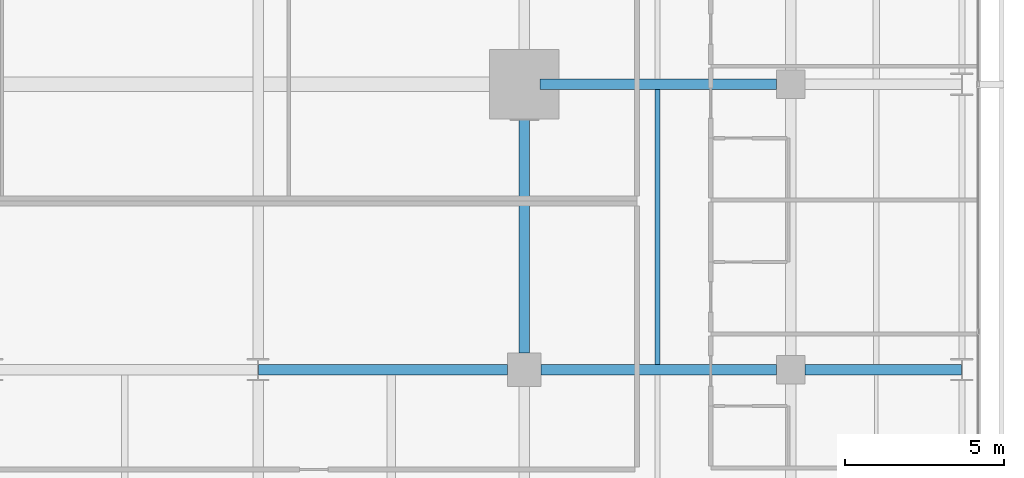
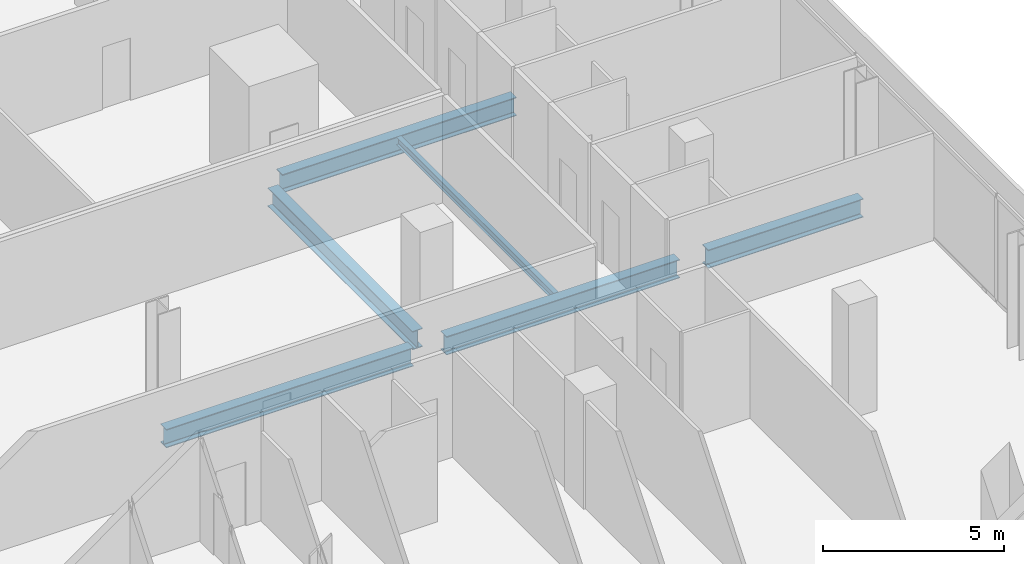
# One storey, part 18 of 40: 6 beams.
"""IFC4 building model written with IfcOpenShell, lengths in metres."""

from ifc_helpers import new_model, si_unit, direction, frame, origin, origin_2d, place, context, subcontext, project, spatial, i_section, extrude, material, material_profile, profile_set, type_object, element, save


model = new_model("IFC4")

# Units and contexts
model_context = context("Model", 3, precision=1e-05, world=origin(), true_north=direction((0.0, 1.0)))
body_context = subcontext(model_context, "Body", "Model", "MODEL_VIEW")
ifc_project = project(units=[si_unit("LENGTHUNIT", "METRE"), si_unit("AREAUNIT", "SQUARE_METRE"), si_unit("VOLUMEUNIT", "CUBIC_METRE"), si_unit("PLANEANGLEUNIT", "RADIAN"), si_unit("MASSUNIT", "GRAM", prefix="KILO")], contexts=[model_context])

# Site, building, storey
site_placement = place(None, origin())
site = spatial("IfcSite", under=ifc_project, at=site_placement, CompositionType="ELEMENT")
building_placement = place(site_placement, origin())
building = spatial("IfcBuilding", under=site, at=building_placement, Name="Maruvema Waterfront Hotel and Observation Tower", CompositionType="ELEMENT")
storey_placement = place(building_placement, frame((0.0, 0.0, 38.5)))
storey = spatial("IfcBuildingStorey", under=building, at=storey_placement, Name="L08", CompositionType="ELEMENT", Elevation=38.5)

# Beams
ifc_material_1 = material(Name="Steel ASTM A572 Grade 50", Category="steel")
ifc_material_profile_1 = material_profile(ifc_material_1, i_section(OverallWidth=0.326904296875, OverallDepth=0.6220703125, WebThickness=0.015380859375, FlangeThickness=0.0244140625, FilletRadius=0.01806640625, at=origin_2d()), Name="W610x195.0")
ifc_profile_set_1 = profile_set([ifc_material_profile_1], Name="Steel ASTM A572 Grade 50")
beam_type_1 = type_object("IfcBeamType", Name="Primary Floor Girder W610x195.0", PredefinedType="BEAM", material=ifc_profile_set_1)
beam_1_placement = place(storey_placement, frame((42.013916015625, 18.0, -0.551025390625), z_axis=(1.0, 0.0, 0.0), x_axis=(0.0, 1.0, 0.0)))
element("IfcBeam", 1, at=beam_1_placement, inside=storey, type_object=beam_type_1, Name="L08 Floor Girder EW-17", PredefinedType="BEAM", context=body_context, shape_type="SweptSolid", body=[
    extrude(i_section(OverallWidth=0.326904296875, OverallDepth=0.6220703125, WebThickness=0.015380859375, FlangeThickness=0.0244140625, FilletRadius=0.01806640625, at=origin_2d()), origin(), (0.0, 0.0, 1.0), 7.861083984375),
])
beam_2_placement = place(storey_placement, frame((50.925048828125, 18.0, -0.551025390625), z_axis=(1.0, 0.0, 0.0), x_axis=(0.0, 1.0, 0.0)))
element("IfcBeam", 2, at=beam_2_placement, inside=storey, type_object=beam_type_1, Name="L08 Floor Girder EW-18", PredefinedType="BEAM", context=body_context, shape_type="SweptSolid", body=[
    extrude(i_section(OverallWidth=0.326904296875, OverallDepth=0.6220703125, WebThickness=0.015380859375, FlangeThickness=0.0244140625, FilletRadius=0.01806640625, at=origin_2d()), origin(), (0.0, 0.0, 1.0), 7.425048828125),
])
beam_3_placement = place(storey_placement, frame((59.25, 18.0, -0.551025390625), z_axis=(1.0, 0.0, 0.0), x_axis=(0.0, 1.0, 0.0)))
element("IfcBeam", 3, at=beam_3_placement, inside=storey, type_object=beam_type_1, Name="L08 Floor Girder EW-19", PredefinedType="BEAM", context=body_context, shape_type="SweptSolid", body=[
    extrude(i_section(OverallWidth=0.326904296875, OverallDepth=0.6220703125, WebThickness=0.015380859375, FlangeThickness=0.0244140625, FilletRadius=0.01806640625, at=origin_2d()), origin(), (0.0, 0.0, 1.0), 4.93603515625),
])
beam_4_placement = place(storey_placement, frame((50.89990234375, 27.0, -0.551025390625), z_axis=(1.0, 0.0, 0.0), x_axis=(0.0, 1.0, 0.0)))
element("IfcBeam", 4, at=beam_4_placement, inside=storey, type_object=beam_type_1, Name="L08 Floor Girder EW-23", PredefinedType="BEAM", context=body_context, shape_type="SweptSolid", body=[
    extrude(i_section(OverallWidth=0.326904296875, OverallDepth=0.6220703125, WebThickness=0.015380859375, FlangeThickness=0.0244140625, FilletRadius=0.01806640625, at=origin_2d()), origin(), (0.0, 0.0, 1.0), 7.4501953125),
])
beam_5_placement = place(storey_placement, frame((50.39990234375, 18.52490234375, -0.551025390625), z_axis=(0.0, 1.0, 0.0), x_axis=(-1.0, 0.0, 0.0)))
element("IfcBeam", 5, at=beam_5_placement, inside=storey, type_object=beam_type_1, Name="L08 Floor Girder NS-24", PredefinedType="BEAM", context=body_context, shape_type="SweptSolid", body=[
    extrude(i_section(OverallWidth=0.326904296875, OverallDepth=0.6220703125, WebThickness=0.015380859375, FlangeThickness=0.0244140625, FilletRadius=0.01806640625, at=origin_2d()), origin(), (0.0, 0.0, 1.0), 7.97509765625),
])
ifc_material_2 = material(Name="Steel ASTM A572 Grade 50", Category="steel")
ifc_material_profile_2 = material_profile(ifc_material_2, i_section(OverallWidth=0.14794921875, OverallDepth=0.26611328125, WebThickness=0.007568359375, FlangeThickness=0.012939453125, FilletRadius=0.012939453125, at=origin_2d()), Name="W250x44.8")
ifc_profile_set_2 = profile_set([ifc_material_profile_2], Name="Steel ASTM A572 Grade 50")
beam_type_2 = type_object("IfcBeamType", Name="Secondary Floor Joist W250x44.8", PredefinedType="JOIST", material=ifc_profile_set_2)
beam_6_placement = place(storey_placement, frame((54.60009765625, 18.16357421875, -0.373046875), z_axis=(0.0, 1.0, 0.0), x_axis=(-1.0, 0.0, 0.0)))
element("IfcBeam", 6, at=beam_6_placement, inside=storey, type_object=beam_type_2, Name="L08 Secondary Floor Joist JS-18", PredefinedType="JOIST", context=body_context, shape_type="SweptSolid", body=[
    extrude(i_section(OverallWidth=0.14794921875, OverallDepth=0.26611328125, WebThickness=0.007568359375, FlangeThickness=0.012939453125, FilletRadius=0.012939453125, at=origin_2d()), origin(), (0.0, 0.0, 1.0), 8.6728515625),
])

save(model, "model.ifc")
